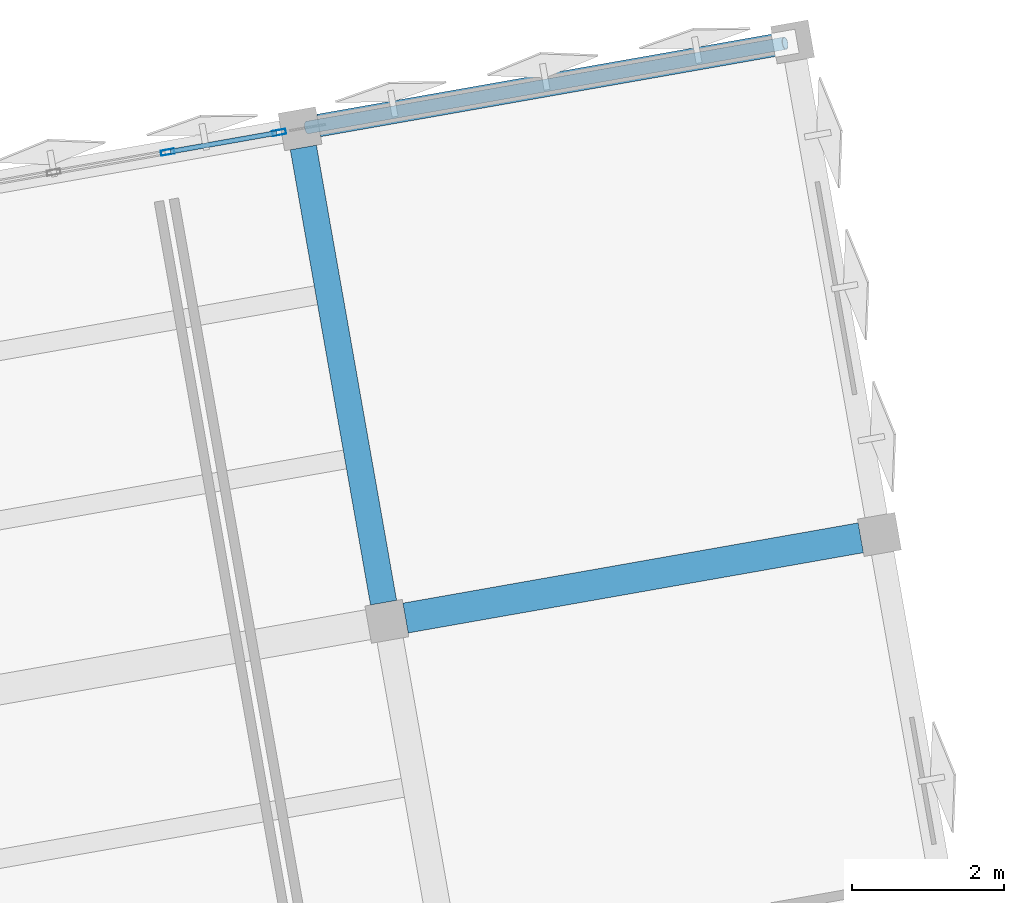
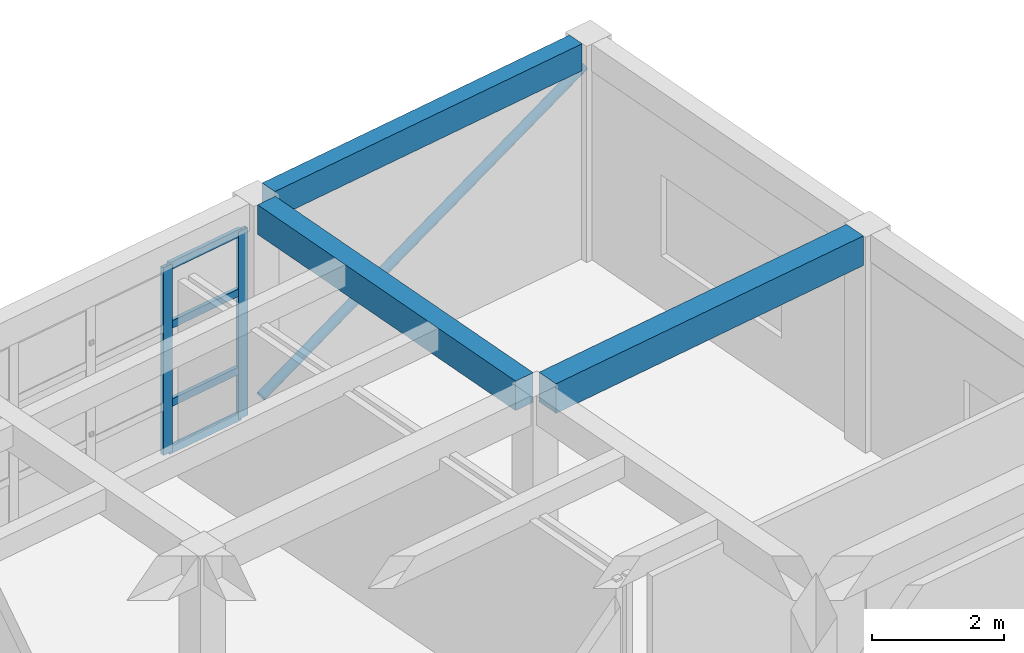
# One storey, part 8 of 15: 7 members, 3 beams, 1 element without a shape of its own.
"""IFC4 building model written with IfcOpenShell, lengths in metres."""

from ifc_helpers import new_model, si_unit, direction, frame, origin, origin_2d, place, context, subcontext, project, spatial, rectangle, hollow_rectangle, hollow_circle, extrude, material, layer, layer_set, material_profile, profile_set, type_object, element, aggregate, save


model = new_model("IFC4")

# Units and contexts
model_context = context("Model", 3, precision=1e-05, world=origin(), true_north=direction((0.0, 1.0)))
body_context = subcontext(model_context, "Body", "Model", "MODEL_VIEW")
ifc_project = project(units=[si_unit("LENGTHUNIT", "METRE"), si_unit("AREAUNIT", "SQUARE_METRE"), si_unit("VOLUMEUNIT", "CUBIC_METRE"), si_unit("PLANEANGLEUNIT", "RADIAN"), si_unit("MASSUNIT", "GRAM", prefix="KILO")], contexts=[model_context])

# Site, building, storey
site_placement = place(None, origin())
site = spatial("IfcSite", under=ifc_project, at=site_placement, CompositionType="ELEMENT")
building_placement = place(site_placement, origin())
building = spatial("IfcBuilding", under=site, at=building_placement, Name="Kharisveld Research Institute", CompositionType="ELEMENT")
storey_placement = place(building_placement, frame((0.0, 0.0, 40.800048828125)))
storey = spatial("IfcBuildingStorey", under=building, at=storey_placement, Name="L09", CompositionType="ELEMENT", Elevation=40.800048828125)

# Beams
ifc_material_1 = material(Name="Concrete C40/50", Category="concrete")
ifc_material_profile_1 = material_profile(ifc_material_1, rectangle(XDim=0.35009765625, YDim=0.550048828125, at=origin_2d()))
ifc_profile_set_1 = profile_set([ifc_material_profile_1], Name="Concrete C40/50")
beam_type_1 = type_object("IfcBeamType", Name="BM_RC_350x550", PredefinedType="BEAM", material=ifc_profile_set_1)
beam_1_placement = place(storey_placement, frame((28.86328125, 52.840087890625, 3.73486328125), z_axis=(-0.173620940611, 0.984812555252, 0.0), x_axis=(-0.984812555252, -0.173620940611, 0.0)))
element("IfcBeam", 1, at=beam_1_placement, inside=storey, type_object=beam_type_1, Name="BM:V1:L09:V4_2", PredefinedType="BEAM", context=body_context, shape_type="SweptSolid", body=[
    extrude(rectangle(XDim=0.35009765625, YDim=0.550048828125, at=origin_2d()), origin(), (0.0, 0.0, 1.0), 6.099853515625),
])
ifc_material_2 = material(Name="Concrete C40/50", Category="concrete")
ifc_material_profile_2 = material_profile(ifc_material_2, rectangle(XDim=0.39990234375, YDim=0.550048828125, at=origin_2d()))
ifc_profile_set_2 = profile_set([ifc_material_profile_2], Name="Concrete C40/50")
beam_type_2 = type_object("IfcBeamType", Name="BM_RC_400x550", PredefinedType="BEAM", material=ifc_profile_set_2)
beam_2_placement = place(storey_placement, frame((29.153076171875, 52.63720703125, 3.73486328125), z_axis=(0.984805711192, 0.173659757005, 0.0), x_axis=(-0.173659757005, 0.984805711192, 0.0)))
element("IfcBeam", 2, at=beam_2_placement, inside=storey, type_object=beam_type_2, Name="BM:V1:L09:U4_2", PredefinedType="BEAM", context=body_context, shape_type="SweptSolid", body=[
    extrude(rectangle(XDim=0.39990234375, YDim=0.550048828125, at=origin_2d()), origin(), (0.0, 0.0, 1.0), 6.10009765625),
])

# Member
ifc_material_3 = material(Name="Steel S355J2H", Category="steel")
ifc_material_profile_3 = material_profile(ifc_material_3, hollow_circle(Radius=0.084228515625, WallThickness=0.008056640625, at=origin_2d()))
ifc_profile_set_3 = profile_set([ifc_material_profile_3], Name="Steel S355J2H")
member_type_1 = type_object("IfcMemberType", Name="BR_CHS168", PredefinedType="BRACE", material=ifc_profile_set_3)
member_1_placement = place(storey_placement, frame((27.859130859375, 59.11083984375, 0.199951171875), z_axis=(0.877522243327, 0.154728898808, 0.453887299161), x_axis=(-0.173646056486, 0.984808127031, 0.0)))
element("IfcMember", 3, at=member_1_placement, inside=storey, type_object=member_type_1, Name="MEM:V1:L09:BR_4_3", PredefinedType="BRACE", context=body_context, shape_type="SweptSolid", body=[
    extrude(hollow_circle(Radius=0.084228515625, WallThickness=0.008056640625, at=origin_2d()), origin(), (0.0, 0.0, 1.0), 7.182373046875),
])

# Curtain wall, members
ifc_material_4 = material(Name="Thermally Broken Aluminium Curtain Wall", Category="aluminium")
ifc_layer = layer(ifc_material_4, 0.159912109375)
ifc_layer_set = layer_set([ifc_layer], Name="CW_SYS_03")
curtain_wall_type = type_object("IfcCurtainWallType", Name="CW_SYS_03", PredefinedType="NOTDEFINED", material=ifc_layer_set)
curtain_wall_placement = place(storey_placement, origin())
curtain_wall = element("IfcCurtainWall", 4, at=curtain_wall_placement, inside=storey, type_object=curtain_wall_type, Name="CW:V1:L09:N3", PredefinedType="NOTDEFINED")
ifc_material_5 = material(Name="Anodised Aluminium AW-6063-T6", Category="aluminium")
ifc_material_profile_4 = material_profile(ifc_material_5, hollow_rectangle(XDim=0.070068359375, YDim=0.179931640625, WallThickness=0.00439453125, at=origin_2d()))
ifc_profile_set_4 = profile_set([ifc_material_profile_4], Name="Anodised Aluminium AW-6063-T6")
member_type_2 = type_object("IfcMemberType", Name="CW_MUL_180", PredefinedType="MULLION", material=ifc_profile_set_4)
member_2_placement = place(storey_placement, frame((26.01513671875, 58.78564453125, 0.0), z_axis=(0.0, 0.0, 1.0), x_axis=(-0.173648130021, 0.984807761413, 0.0)))
member_2 = element("IfcMember", 5, at=member_2_placement, type_object=member_type_2, Name="CW-03 mullion 4", PredefinedType="MULLION", context=body_context, shape_type="SweptSolid", body=[
    extrude(hollow_rectangle(XDim=0.070068359375, YDim=0.179931640625, WallThickness=0.00439453125, at=origin_2d()), origin(), (0.0, 0.0, 1.0), 3.47998046875),
])
member_3_placement = place(storey_placement, frame((27.48486328125, 59.044921875, 0.0), z_axis=(0.0, 0.0, 1.0), x_axis=(-0.173648130021, 0.984807761413, 0.0)))
member_3 = element("IfcMember", 6, at=member_3_placement, type_object=member_type_2, Name="CW-03 mullion 5", PredefinedType="MULLION", context=body_context, shape_type="SweptSolid", body=[
    extrude(hollow_rectangle(XDim=0.070068359375, YDim=0.179931640625, WallThickness=0.00439453125, at=origin_2d()), origin(), (0.0, 0.0, 1.0), 3.47998046875),
])
ifc_material_6 = material(Name="Anodised Aluminium AW-6063-T6", Category="aluminium")
ifc_material_profile_5 = material_profile(ifc_material_6, hollow_rectangle(XDim=0.06494140625, YDim=0.139892578125, WallThickness=0.00390625, at=origin_2d()))
ifc_profile_set_5 = profile_set([ifc_material_profile_5], Name="Anodised Aluminium AW-6063-T6")
member_type_3 = type_object("IfcMemberType", Name="CW_TRN_140", PredefinedType="USERDEFINED", material=ifc_profile_set_5)
member_4_placement = place(storey_placement, frame((26.049560546875, 58.791748046875, 0.032470703125), z_axis=(0.984800831926, 0.173687424522, 0.0), x_axis=(-0.173687424522, 0.984800831926, 0.0)))
member_4 = element("IfcMember", 7, at=member_4_placement, type_object=member_type_3, Name="CW-03 transom 4.1", ObjectType="TRANSOM", PredefinedType="USERDEFINED", context=body_context, shape_type="SweptSolid", body=[
    extrude(hollow_rectangle(XDim=0.06494140625, YDim=0.139892578125, WallThickness=0.00390625, at=origin_2d()), origin(), (0.0, 0.0, 1.0), 1.422607421875),
])
member_5_placement = place(storey_placement, frame((26.049560546875, 58.791748046875, 0.89990234375), z_axis=(0.984800831926, 0.173687424522, 0.0), x_axis=(-0.173687424522, 0.984800831926, 0.0)))
member_5 = element("IfcMember", 8, at=member_5_placement, type_object=member_type_3, Name="CW-03 transom 4.2", ObjectType="TRANSOM", PredefinedType="USERDEFINED", context=body_context, shape_type="SweptSolid", body=[
    extrude(hollow_rectangle(XDim=0.06494140625, YDim=0.139892578125, WallThickness=0.00390625, at=origin_2d()), origin(), (0.0, 0.0, 1.0), 1.422607421875),
])
member_6_placement = place(storey_placement, frame((26.049560546875, 58.791748046875, 2.349853515625), z_axis=(0.984800831926, 0.173687424522, 0.0), x_axis=(-0.173687424522, 0.984800831926, 0.0)))
member_6 = element("IfcMember", 9, at=member_6_placement, type_object=member_type_3, Name="CW-03 transom 4.3", ObjectType="TRANSOM", PredefinedType="USERDEFINED", context=body_context, shape_type="SweptSolid", body=[
    extrude(hollow_rectangle(XDim=0.06494140625, YDim=0.139892578125, WallThickness=0.00390625, at=origin_2d()), origin(), (0.0, 0.0, 1.0), 1.422607421875),
])
member_7_placement = place(storey_placement, frame((26.049560546875, 58.791748046875, 3.447509765625), z_axis=(0.984800831926, 0.173687424522, 0.0), x_axis=(-0.173687424522, 0.984800831926, 0.0)))
member_7 = element("IfcMember", 10, at=member_7_placement, type_object=member_type_3, Name="CW-03 transom 4.4", ObjectType="TRANSOM", PredefinedType="USERDEFINED", context=body_context, shape_type="SweptSolid", body=[
    extrude(hollow_rectangle(XDim=0.06494140625, YDim=0.139892578125, WallThickness=0.00390625, at=origin_2d()), origin(), (0.0, 0.0, 1.0), 1.422607421875),
])
aggregate(curtain_wall, [member_2, member_3, member_4, member_5, member_6, member_7])

# Beam
ifc_material_7 = material(Name="Concrete C40/50", Category="concrete")
ifc_material_profile_6 = material_profile(ifc_material_7, rectangle(XDim=0.300048828125, YDim=0.5, at=origin_2d()))
ifc_profile_set_6 = profile_set([ifc_material_profile_6], Name="Concrete C40/50")
beam_type_3 = type_object("IfcBeamType", Name="SP_RC_300x500", PredefinedType="SPANDREL", material=ifc_profile_set_6)
beam_3_placement = place(storey_placement, frame((28.0068359375, 59.136962890625, 3.760009765625), z_axis=(0.984805711192, 0.173659757005, 0.0), x_axis=(-0.173659757005, 0.984805711192, 0.0)))
element("IfcBeam", 11, at=beam_3_placement, inside=storey, type_object=beam_type_3, Name="BM:V1:L09:U4_3", PredefinedType="SPANDREL", context=body_context, shape_type="SweptSolid", body=[
    extrude(rectangle(XDim=0.300048828125, YDim=0.5, at=origin_2d()), origin(), (0.0, 0.0, 1.0), 6.10009765625),
])

save(model, "model.ifc")
